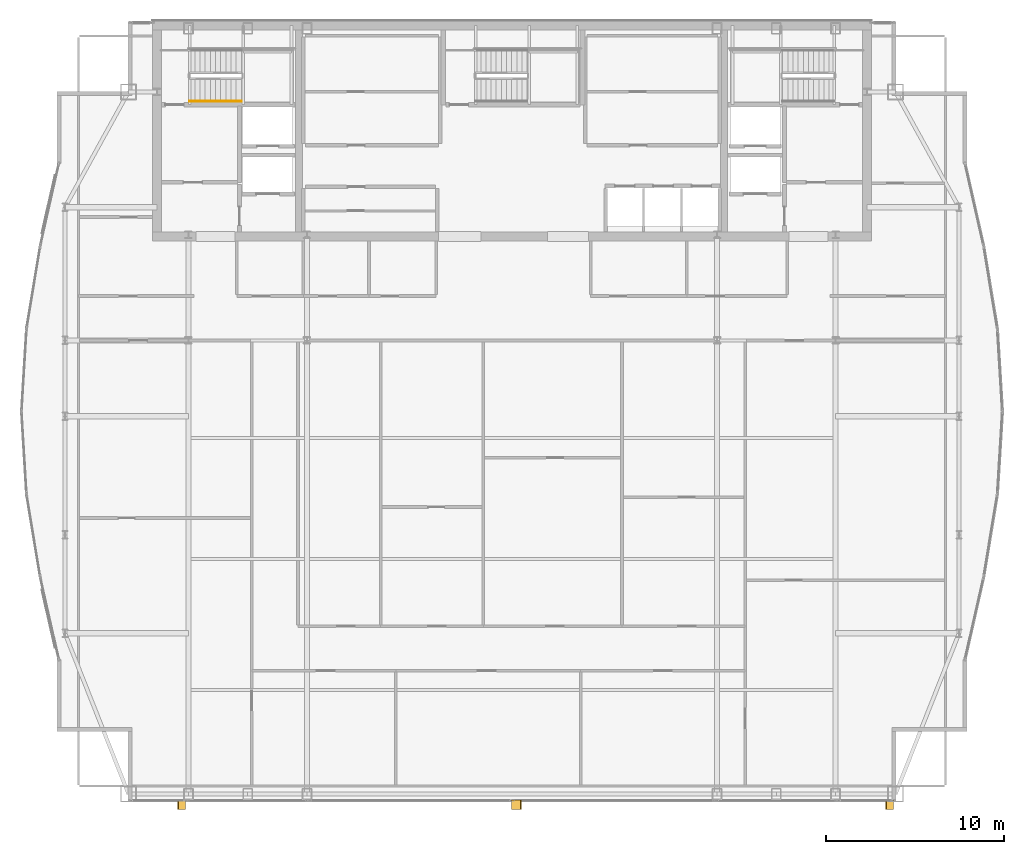
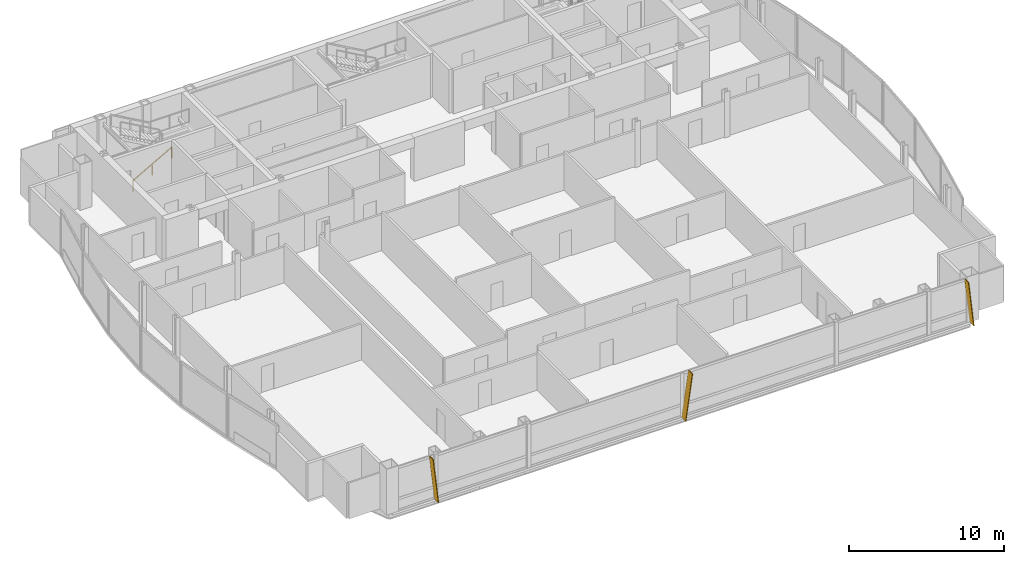
# One storey, part 28 of 29: 3 shading devices, 1 railing.
"""IFC4 building model written with IfcOpenShell, lengths in metres."""

from ifc_helpers import new_model, si_unit, direction, frame, origin, origin_2d, place, context, subcontext, project, spatial, polyline, rectangle, outline, extrude, material, layer, layer_set, type_object, element, save


model = new_model("IFC4")

# Units and contexts
model_context = context("Model", 3, precision=1e-05, world=origin(), true_north=direction((0.0, 1.0)))
body_context = subcontext(model_context, "Body", "Model", "MODEL_VIEW")
ifc_project = project(units=[si_unit("LENGTHUNIT", "METRE"), si_unit("AREAUNIT", "SQUARE_METRE"), si_unit("VOLUMEUNIT", "CUBIC_METRE"), si_unit("PLANEANGLEUNIT", "RADIAN"), si_unit("MASSUNIT", "GRAM", prefix="KILO")], contexts=[model_context])

# Site, building, storey
site_placement = place(None, origin())
site = spatial("IfcSite", under=ifc_project, at=site_placement, CompositionType="ELEMENT")
building_placement = place(site_placement, origin())
building = spatial("IfcBuilding", under=site, at=building_placement, Name="Khoronbel Lancet Exchange", CompositionType="ELEMENT")
storey_placement = place(building_placement, frame((0.0, 0.0, 318.199951171875)))
storey = spatial("IfcBuildingStorey", under=building, at=storey_placement, Name="L82", CompositionType="ELEMENT", Elevation=318.199951171875)

# Railing
ifc_material_1 = material(Name="Brushed Stainless Steel 316", Category="steel")
railing_type = type_object("IfcRailingType", Name="RL-STH92", PredefinedType="HANDRAIL", material=ifc_material_1)
railing_placement = place(storey_placement, frame((18.300048828125, 49.169921875, 0.16357421875)))
element("IfcRailing", 1, at=railing_placement, inside=storey, type_object=railing_type, Name="L82 ST1 stair handrail 1", PredefinedType="HANDRAIL", context=body_context, shape_type="SweptSolid", body=[
    extrude(rectangle(XDim=0.048095703125, YDim=0.048095703125, at=origin_2d()), frame((0.0, 0.0, 0.8759765625), z_axis=(0.870897200241, 0.0, 0.491465224214), x_axis=(0.0, 1.0, 0.0)), (0.0, 0.0, 1.0), 3.329833984375),
    extrude(rectangle(XDim=0.0419921875, YDim=0.0419921875, at=origin_2d()), origin(), (0.0, 0.0, 1.0), 0.851806640625),
    extrude(rectangle(XDim=0.0419921875, YDim=0.0419921875, at=origin_2d()), frame((1.449951171875, 0.0, 0.818359375)), (0.0, 0.0, 1.0), 0.851806640625),
    extrude(rectangle(XDim=0.0419921875, YDim=0.0419921875, at=origin_2d()), frame((2.89990234375, 0.0, 1.636474609375)), (0.0, 0.0, 1.0), 0.851806640625),
])

# Shading devices
ifc_material_2 = material(Name="Bronze-Anodised Aluminium 6063-T6", Category="aluminium")
ifc_layer = layer(ifc_material_2, 0.054931640625, Name="Bronze-Anodised Aluminium 6063-T6")
ifc_layer_set = layer_set([ifc_layer], Name="Bronze-Anodised Aluminium 6063-T6")
shading_device_type = type_object("IfcShadingDeviceType", Name="SHD-FIN1", PredefinedType="USERDEFINED", material=ifc_layer_set)
shading_device_1_placement = place(storey_placement, frame((18.072509765625, 9.81005859375, -0.079833984375), z_axis=(0.99389951861, 0.0, 0.110289378034), x_axis=(0.0, -1.0, 0.0)))
element("IfcShadingDevice", 2, at=shading_device_1_placement, inside=storey, type_object=shading_device_type, Name="Slanted bronze solar fin CW-L82-SWV-1", ObjectType="FIN", PredefinedType="USERDEFINED", context=body_context, shape_type="SweptSolid", body=[
    extrude(outline(polyline([(0.0, 0.0), (0.52001953125, 0.0), (0.52001953125, -3.58154296875), (0.0, -3.58154296875), (0.0, 0.0)])), origin(), (0.0, 0.0, -1.0), 0.054931640625),
])
shading_device_2_placement = place(storey_placement, frame((36.422607421875, 9.81005859375, -0.079833984375), z_axis=(-0.990091586433, 0.0, 0.14042311232), x_axis=(0.0, -1.0, 0.0)))
element("IfcShadingDevice", 3, at=shading_device_2_placement, inside=storey, type_object=shading_device_type, Name="Slanted bronze solar fin CW-L82-SCV-1", ObjectType="FIN", PredefinedType="USERDEFINED", context=body_context, shape_type="SweptSolid", body=[
    extrude(outline(polyline([(0.0, 0.0), (0.52001953125, 0.0), (0.52001953125, 3.595458984375), (0.0, 3.595458984375), (0.0, 0.0)])), origin(), (0.0, 0.0, -1.0), 0.054931640625),
])
shading_device_3_placement = place(storey_placement, frame((57.9326171875, 9.81005859375, -0.079833984375), z_axis=(0.99389951861, 0.0, 0.110289378034), x_axis=(0.0, -1.0, 0.0)))
element("IfcShadingDevice", 4, at=shading_device_3_placement, inside=storey, type_object=shading_device_type, Name="Slanted bronze solar fin CW-L82-SEV-1", ObjectType="FIN", PredefinedType="USERDEFINED", context=body_context, shape_type="SweptSolid", body=[
    extrude(outline(polyline([(0.0, 0.0), (0.52001953125, 0.0), (0.52001953125, -3.58154296875), (0.0, -3.58154296875), (0.0, 0.0)])), origin(), (0.0, 0.0, -1.0), 0.054931640625),
])

save(model, "model.ifc")
